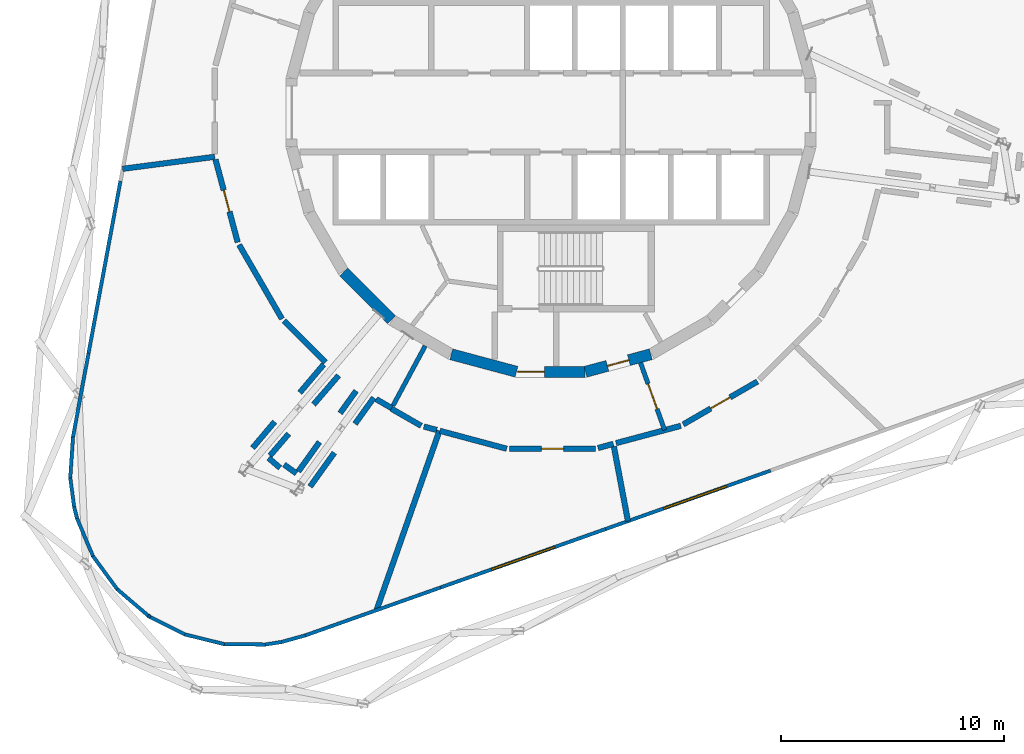
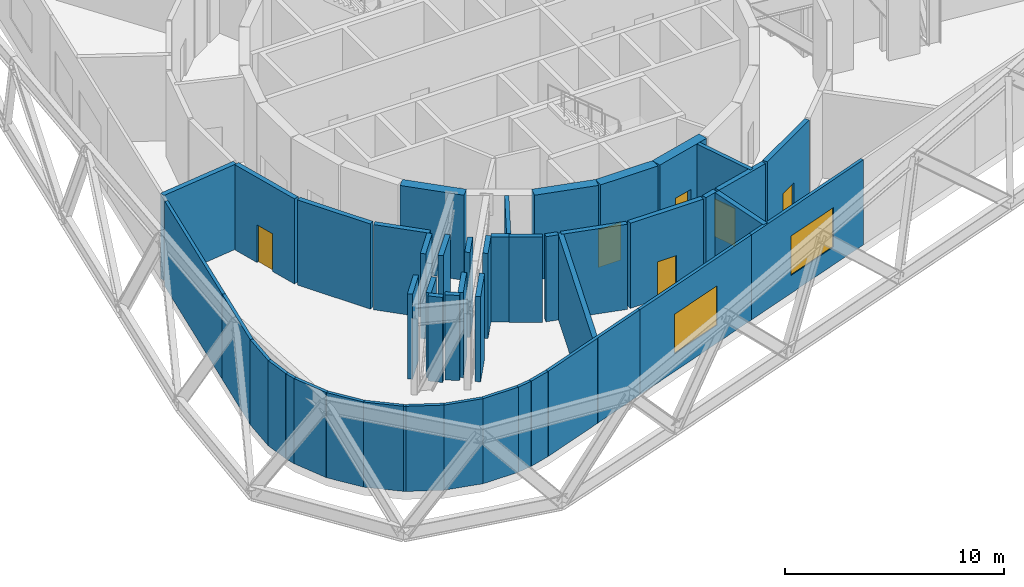
# One storey, part 5 of 12: 47 walls, 6 doors, 2 windows, 8 openings.
"""IFC4 building model written with IfcOpenShell, lengths in metres."""

import ifcopenshell
import ifcopenshell.guid

model = None  # the IFC model being written
_history = None  # IfcOwnerHistory: only IFC2X3 demands one
_inside = {}  # id of a spatial element -> (the spatial element, [elements in it])
_under = {}  # id of a project, library or spatial element -> (it, [spatial elements below it])
_declared = {}  # id of a project -> (the project, [libraries it declares])
_typed = {}  # id of a type object -> (the type object, [elements of that type])
_made_of = {}  # id of a material, layer set ... -> (it, [elements and type objects made of it])


def new_model(schema):
    """Start an empty IFC model of exactly this schema.

    Asked for "IFC4X3", IfcOpenShell would pick the latest addendum, in which some entities
    have other attributes; the version numbers below select the first issue.
    IFC2X3 requires an IfcOwnerHistory on every rooted entity: one is made here for all.
    """
    global model, _history
    if schema == "IFC4X3":
        model = ifcopenshell.file(schema_version=(4, 3, 0, 0))
    else:
        model = ifcopenshell.file(schema=schema)
    _inside.clear()
    _under.clear()
    _declared.clear()
    _typed.clear()
    _made_of.clear()
    _history = None
    if model.schema == "IFC2X3":
        org = make("IfcOrganization", Name="unknown")
        user = make(
            "IfcPersonAndOrganization",
            ThePerson=make("IfcPerson", FamilyName="unknown"),
            TheOrganization=org,
        )
        app = make(
            "IfcApplication",
            ApplicationDeveloper=org,
            Version="unknown",
            ApplicationFullName="unknown",
            ApplicationIdentifier="unknown",
        )
        _history = make(
            "IfcOwnerHistory",
            OwningUser=user,
            OwningApplication=app,
            ChangeAction="ADDED",
            CreationDate=0,
        )
    return model


def make(cls, **values):
    """One entity of the class cls with the attributes given. An attribute that is None is left unset."""
    return model.create_entity(
        cls, **{name: value for name, value in values.items() if value is not None}
    )


def rooted(cls, **values):
    """An entity with a GlobalId (a new one), such as an element, a storey or a relation."""
    return make(cls, GlobalId=ifcopenshell.guid.new(), OwnerHistory=_history, **values)


def si_unit(unit_type, name, prefix=None):
    """IfcSIUnit, for example si_unit("LENGTHUNIT", "METRE", prefix="MILLI")."""
    return make("IfcSIUnit", UnitType=unit_type, Prefix=prefix, Name=name)


def assignment(units):
    """IfcUnitAssignment: the units of a project."""
    return None if units is None else make("IfcUnitAssignment", Units=units)


def point(xyz):
    """IfcCartesianPoint."""
    return None if xyz is None else make("IfcCartesianPoint", Coordinates=xyz)


def direction(xyz):
    """IfcDirection."""
    return None if xyz is None else make("IfcDirection", DirectionRatios=xyz)


def frame(location, z_axis=None, x_axis=None):
    """IfcAxis2Placement3D, a coordinate frame: its origin and axes. An axis left out is left unset."""
    return make(
        "IfcAxis2Placement3D",
        Location=point(location),
        Axis=direction(z_axis),
        RefDirection=direction(x_axis),
    )


def frame_2d(location, x_axis=None):
    """IfcAxis2Placement2D, a coordinate frame in the plane: its origin and x axis."""
    return make(
        "IfcAxis2Placement2D", Location=point(location), RefDirection=direction(x_axis)
    )


def origin():
    """The frame at (0, 0, 0) with its axes left unset."""
    return frame((0.0, 0.0, 0.0))


def place(relative_to, where):
    """IfcLocalPlacement: puts the frame where relative to a parent placement (None: the world)."""
    return make(
        "IfcLocalPlacement", PlacementRelTo=relative_to, RelativePlacement=where
    )


def context(
    kind, dimensions, precision=None, world=None, true_north=None, identifier=None
):
    """IfcGeometricRepresentationContext, for example the 3D "Model" context."""
    return make(
        "IfcGeometricRepresentationContext",
        ContextIdentifier=identifier,
        ContextType=kind,
        CoordinateSpaceDimension=dimensions,
        Precision=precision,
        WorldCoordinateSystem=world,
        TrueNorth=true_north,
    )


def subcontext(parent, identifier, kind, view, scale=None):
    """IfcGeometricRepresentationSubContext, for example "Body" below "Model"."""
    return make(
        "IfcGeometricRepresentationSubContext",
        ContextIdentifier=identifier,
        ContextType=kind,
        ParentContext=parent,
        TargetScale=scale,
        TargetView=view,
    )


def project(units=None, contexts=None):
    """IfcProject with its units and contexts."""
    return rooted(
        "IfcProject",
        Name="project",
        RepresentationContexts=contexts,
        UnitsInContext=assignment(units),
    )


def spatial(cls, under=None, at=None, **own):
    """A site, building, storey or space (cls), placed at a placement, below another one or the project."""
    s = rooted(cls, ObjectPlacement=at, **own)
    if under is not None:
        _under.setdefault(under.id(), (under, []))[1].append(s)
    return s


def profile(cls, at=None, kind="AREA", **sizes):
    """A parametric profile (cls). Its sizes go by their IFC names, for example OverallWidth=200.0."""
    return make(cls, ProfileType=kind, Position=at, **sizes)


def rectangle(**sizes):
    """IfcRectangleProfileDef."""
    return profile("IfcRectangleProfileDef", **sizes)


def extrude(swept, where, along, depth):
    """IfcExtrudedAreaSolid: the profile swept, set in the frame where, extruded along a direction by depth."""
    return make(
        "IfcExtrudedAreaSolid",
        SweptArea=swept,
        Position=where,
        ExtrudedDirection=direction(along),
        Depth=depth,
    )


def shape(context_of_items, identifier, shape_type, items):
    """IfcShapeRepresentation: the items that make up one representation, for example the "Body"."""
    return make(
        "IfcShapeRepresentation",
        ContextOfItems=context_of_items,
        RepresentationIdentifier=identifier,
        RepresentationType=shape_type,
        Items=items,
    )


def material(Name=None, Category=None):
    """IfcMaterial."""
    return make("IfcMaterial", Name=Name, Category=Category)


def layer(
    of_material, thickness, ventilated=None, Name=None, Category=None, Priority=None
):
    """IfcMaterialLayer: one layer of a wall or slab, of a material (None: an air gap)."""
    return make(
        "IfcMaterialLayer",
        Material=of_material,
        LayerThickness=thickness,
        IsVentilated=ventilated,
        Name=Name,
        Category=Category,
        Priority=Priority,
    )


def layer_set(layers, Name=None):
    """IfcMaterialLayerSet."""
    return make("IfcMaterialLayerSet", MaterialLayers=layers, LayerSetName=Name)


def made_of(thing, what):
    """Note that an element or type object is made of a material, layer set ...; save() writes the relation."""
    if what is not None:
        _made_of.setdefault(what.id(), (what, []))[1].append(thing)
    return thing


def type_object(cls, material=None, **own):
    """A type object (cls), such as IfcWallType, which elements share."""
    return made_of(rooted(cls, **own), material)


def element(
    cls,
    number,
    at=None,
    inside=None,
    cuts=None,
    type_object=None,
    material=None,
    context=None,
    identifier="Body",
    shape_type=None,
    held_by="IfcProductDefinitionShape",
    body=None,
    shapes=None,
    **own,
):
    """One element of the class cls, such as IfcWall. Its Tag is "e" and its number.

    at: its placement. inside: the storey or other place that contains it. cuts: it is an
    opening in that element (IfcRelVoidsElement). A single representation is given by context,
    identifier, shape_type and body (its items); several are given by shapes. held_by: the class
    of the entity that holds the representations. save() writes the other relations.
    """
    e = rooted(cls, Tag="e%d" % number, ObjectPlacement=at, **own)
    if body is not None:
        shapes = [shape(context, identifier, shape_type, body)]
    if shapes is not None:
        e.Representation = make(held_by, Representations=shapes)
    if inside is not None:
        _inside.setdefault(inside.id(), (inside, []))[1].append(e)
    if cuts is not None:
        rooted(
            "IfcRelVoidsElement", RelatingBuildingElement=cuts, RelatedOpeningElement=e
        )
    if type_object is not None:
        _typed.setdefault(type_object.id(), (type_object, []))[1].append(e)
    return made_of(e, material)


def fill(opening, filler):
    """IfcRelFillsElement: the door or window that sits in an opening."""
    return rooted(
        "IfcRelFillsElement",
        RelatingOpeningElement=opening,
        RelatedBuildingElement=filler,
    )


def aggregate(whole, parts):
    """IfcRelAggregates: a whole, such as a stair, and the parts it consists of."""
    return rooted("IfcRelAggregates", RelatingObject=whole, RelatedObjects=parts)


def save(model, path):
    """Write the relations noted so far, then the file.

    IfcRelAggregates (storeys below a building ...), IfcRelContainedInSpatialStructure (elements
    in a storey), IfcRelDefinesByType, IfcRelAssociatesMaterial and IfcRelDeclares: one each for
    every whole, place, type object, material and project.
    """
    for whole, parts in _under.values():
        aggregate(whole, parts)
    for where, things in _inside.values():
        rooted(
            "IfcRelContainedInSpatialStructure",
            RelatedElements=things,
            RelatingStructure=where,
        )
    for kind, things in _typed.values():
        rooted("IfcRelDefinesByType", RelatedObjects=things, RelatingType=kind)
    for what, things in _made_of.values():
        rooted("IfcRelAssociatesMaterial", RelatedObjects=things, RelatingMaterial=what)
    for by, libraries in _declared.values():
        rooted("IfcRelDeclares", RelatingContext=by, RelatedDefinitions=libraries)
    model.write(path)


model = new_model("IFC4")

# Units and contexts
model_context = context("Model", 3, precision=1e-05, world=origin(), true_north=direction((0.0, 1.0)))
body_context = subcontext(model_context, "Body", "Model", "MODEL_VIEW")
ifc_project = project(units=[si_unit("LENGTHUNIT", "METRE"), si_unit("AREAUNIT", "SQUARE_METRE"), si_unit("VOLUMEUNIT", "CUBIC_METRE"), si_unit("PLANEANGLEUNIT", "RADIAN"), si_unit("MASSUNIT", "GRAM", prefix="KILO")], contexts=[model_context])

# Site, building, storey
site_placement = place(None, origin())
site = spatial("IfcSite", under=ifc_project, at=site_placement, CompositionType="ELEMENT")
building_placement = place(site_placement, origin())
building = spatial("IfcBuilding", under=site, at=building_placement, Name="Spindle Arch Residences", CompositionType="ELEMENT")
storey_placement = place(building_placement, frame((0.0, 0.0, 183.199951171875)))
storey = spatial("IfcBuildingStorey", under=building, at=storey_placement, Name="L46", CompositionType="ELEMENT", Elevation=183.199951171875)

# Wall, opening, door
ifc_material_1 = material(Name="Concrete C50/60", Category="concrete")
ifc_layer_1 = layer(ifc_material_1, 0.5)
ifc_layer_set_1 = layer_set([ifc_layer_1], Name="Core outline wall 500")
wall_type_1 = type_object("IfcWallType", Name="Core outline wall 500", PredefinedType="SHEAR", material=ifc_layer_set_1)
wall_1_placement = place(storey_placement, frame((1.5498046875, -11.642822265625, 0.0), z_axis=(0.0, 0.0, 1.0), x_axis=(0.965948410781, 0.258734743916, 0.0)))
wall_1 = element("IfcWall", 1, at=wall_1_placement, inside=storey, type_object=wall_type_1, Name="Core outline wall 1", PredefinedType="SHEAR", context=body_context, shape_type="SweptSolid", body=[
    extrude(rectangle(XDim=3.03271484375, YDim=0.5, at=frame_2d((1.516357421875, 0.0))), origin(), (0.0, 0.0, 1.0), 4.75),
])
opening_1_placement = place(wall_1_placement, frame((1.016357421875, 0.0, 0.0)))
opening_1 = element("IfcOpeningElement", 2, at=opening_1_placement, cuts=wall_1, Name="Opening L46-PD09", PredefinedType="OPENING", context=body_context, shape_type="SweptSolid", body=[
    extrude(rectangle(XDim=1.0, YDim=2.39990234375, at=frame_2d((0.5, 1.199951171875))), frame((0.0, 0.260009765625, 0.0), z_axis=(0.0, -1.0, 0.0), x_axis=(1.0, 0.0, 0.0)), (0.0, 0.0, 1.0), 0.52001953125),
])
ifc_material_2 = material(Name="Steel, fire-resisting door", Category="steel")
door_type_1 = type_object("IfcDoorType", Name="Plant room door 1000x2400", OperationType="SINGLE_SWING_LEFT", PredefinedType="DOOR", material=ifc_material_2)
door_1_placement = place(opening_1_placement, origin())
door_1 = element("IfcDoor", 3, at=door_1_placement, inside=storey, type_object=door_type_1, Name="Plant room door L46-PD09", OperationType="SINGLE_SWING_LEFT", OverallHeight=2.39990234375, OverallWidth=1.0, PredefinedType="DOOR", context=body_context, shape_type="SweptSolid", body=[
    extrude(rectangle(XDim=1.0, YDim=2.39990234375, at=frame_2d((0.5, 1.199951171875))), frame((0.0, 0.02490234375, 0.0), z_axis=(0.0, -1.0, 0.0), x_axis=(1.0, 0.0, 0.0)), (0.0, 0.0, 1.0), 0.050048828125),
])
fill(opening_1, door_1)

# Walls
wall_2_placement = place(storey_placement, frame((-9.30810546875, -7.163818359375, 0.0), z_axis=(0.0, 0.0, 1.0), x_axis=(0.707106781187, -0.707106781187, 0.0)))
element("IfcWall", 4, at=wall_2_placement, inside=storey, type_object=wall_type_1, Name="Core outline wall 21", PredefinedType="SHEAR", context=body_context, shape_type="SweptSolid", body=[
    extrude(rectangle(XDim=3.032470703125, YDim=0.5, at=frame_2d((1.51611328125, 0.0))), origin(), (0.0, 0.0, 1.0), 4.75),
])
wall_3_placement = place(storey_placement, frame((-4.479248046875, -10.858154296875, 0.0), z_axis=(0.0, 0.0, 1.0), x_axis=(0.965948410781, -0.258734743916, 0.0)))
element("IfcWall", 5, at=wall_3_placement, inside=storey, type_object=wall_type_1, Name="Core outline wall 23", PredefinedType="SHEAR", context=body_context, shape_type="SweptSolid", body=[
    extrude(rectangle(XDim=3.03271484375, YDim=0.5, at=frame_2d((1.516357421875, 0.0))), origin(), (0.0, 0.0, 1.0), 4.75),
])

# Wall, opening, door
wall_4_placement = place(storey_placement, frame((-1.516357421875, -11.647216796875, 0.0), z_axis=(0.0, 0.0, 1.0), x_axis=(1.0, 0.0, 0.0)))
wall_4 = element("IfcWall", 6, at=wall_4_placement, inside=storey, type_object=wall_type_1, Name="Core outline wall 24", PredefinedType="SHEAR", context=body_context, shape_type="SweptSolid", body=[
    extrude(rectangle(XDim=3.03271484375, YDim=0.5, at=frame_2d((1.516357421875, 0.0))), origin(), (0.0, 0.0, 1.0), 4.75),
])
opening_2_placement = place(wall_4_placement, frame((0.016357421875, 0.0, 0.0)))
opening_2 = element("IfcOpeningElement", 7, at=opening_2_placement, cuts=wall_4, Name="Opening L46-AD03", PredefinedType="OPENING", context=body_context, shape_type="SweptSolid", body=[
    extrude(rectangle(XDim=1.199951171875, YDim=2.10009765625, at=frame_2d((0.60009765625, 1.050048828125))), frame((0.0, 0.260009765625, 0.0), z_axis=(0.0, -1.0, 0.0), x_axis=(1.0, 0.0, 0.0)), (0.0, 0.0, 1.0), 0.52001953125),
])
ifc_material_3 = material(Name="Steel, fire-resisting door", Category="steel")
door_type_2 = type_object("IfcDoorType", Name="Stair airlock door 1200x2100", OperationType="SINGLE_SWING_LEFT", PredefinedType="DOOR", material=ifc_material_3)
door_2_placement = place(opening_2_placement, origin())
door_2 = element("IfcDoor", 8, at=door_2_placement, inside=storey, type_object=door_type_2, Name="Stair airlock door L46-AD03", OperationType="SINGLE_SWING_RIGHT", OverallHeight=2.10009765625, OverallWidth=1.199951171875, PredefinedType="DOOR", context=body_context, shape_type="SweptSolid", body=[
    extrude(rectangle(XDim=1.199951171875, YDim=2.10009765625, at=frame_2d((0.60009765625, 1.050048828125))), frame((0.0, 0.02490234375, 0.0), z_axis=(0.0, -1.0, 0.0), x_axis=(1.0, 0.0, 0.0)), (0.0, 0.0, 1.0), 0.050048828125),
])
fill(opening_2, door_2)

# Walls
ifc_material_4 = material(Name="Non-combustible mineral wool insulated aluminium faced external wall (K0)", Category="aluminium")
ifc_layer_2 = layer(ifc_material_4, 0.159912109375)
ifc_layer_set_2 = layer_set([ifc_layer_2], Name="Insulated external wall panel 160")
wall_type_2 = type_object("IfcWallType", Name="Insulated external wall panel 160", PredefinedType="STANDARD", material=ifc_layer_set_2)
wall_5_placement = place(storey_placement, frame((-19.337646484375, -3.07763671875, 0.0), z_axis=(0.0, 0.0, 1.0), x_axis=(-0.182232738599, -0.98325542408, 0.0)))
element("IfcWall", 9, at=wall_5_placement, inside=storey, type_object=wall_type_2, Name="Plant wall L46 bay 16", PredefinedType="STANDARD", context=body_context, shape_type="SweptSolid", body=[
    extrude(rectangle(XDim=7.860107421875, YDim=0.159912109375, at=frame_2d((3.93017578125, 0.0))), origin(), (0.0, 0.0, 1.0), 4.75),
])
wall_6_placement = place(storey_placement, frame((-20.77001953125, -10.80615234375, 0.0), z_axis=(0.0, 0.0, 1.0), x_axis=(-0.182228290982, -0.983256248374, 0.0)))
element("IfcWall", 10, at=wall_6_placement, inside=storey, type_object=wall_type_2, Name="Plant wall L46 bay 17.1", PredefinedType="STANDARD", context=body_context, shape_type="SweptSolid", body=[
    extrude(rectangle(XDim=3.835693359375, YDim=0.159912109375, at=frame_2d((1.91796875, 0.0))), origin(), (0.0, 0.0, 1.0), 4.75),
])
wall_7_placement = place(storey_placement, frame((-21.468505859375, -14.572998046875, 0.0), z_axis=(0.0, 0.0, 1.0), x_axis=(-0.066817587847, -0.997765207829, 0.0)))
element("IfcWall", 11, at=wall_7_placement, inside=storey, type_object=wall_type_2, Name="Plant wall L46 bay 17.2", PredefinedType="STANDARD", context=body_context, shape_type="SweptSolid", body=[
    extrude(rectangle(XDim=1.84521484375, YDim=0.159912109375, at=frame_2d((0.922607421875, 0.0))), origin(), (0.0, 0.0, 1.0), 4.75),
])
wall_8_placement = place(storey_placement, frame((-21.592041015625, -16.40625, 0.0), z_axis=(0.0, 0.0, 1.0), x_axis=(0.131993714957, -0.991250553196, 0.0)))
element("IfcWall", 12, at=wall_8_placement, inside=storey, type_object=wall_type_2, Name="Plant wall L46 bay 17.3", PredefinedType="STANDARD", context=body_context, shape_type="SweptSolid", body=[
    extrude(rectangle(XDim=1.31689453125, YDim=0.159912109375, at=frame_2d((0.658447265625, 0.0))), origin(), (0.0, 0.0, 1.0), 4.75),
])
wall_9_placement = place(storey_placement, frame((-21.418212890625, -17.711669921875, 0.0), z_axis=(0.0, 0.0, 1.0), x_axis=(0.246208640936, -0.969216851447, 0.0)))
element("IfcWall", 13, at=wall_9_placement, inside=storey, type_object=wall_type_2, Name="Plant wall L46 bay 18.1", PredefinedType="STANDARD", context=body_context, shape_type="SweptSolid", body=[
    extrude(rectangle(XDim=0.531494140625, YDim=0.159912109375, at=frame_2d((0.265625, 0.0))), origin(), (0.0, 0.0, 1.0), 4.75),
])
wall_10_placement = place(storey_placement, frame((-21.289306640625, -18.220947265625, 0.0), z_axis=(0.0, 0.0, 1.0), x_axis=(0.38815156291, -0.921595553489, 0.0)))
element("IfcWall", 14, at=wall_10_placement, inside=storey, type_object=wall_type_2, Name="Plant wall L46 bay 18.2", PredefinedType="STANDARD", context=body_context, shape_type="SweptSolid", body=[
    extrude(rectangle(XDim=1.8466796875, YDim=0.159912109375, at=frame_2d((0.92333984375, 0.0))), origin(), (0.0, 0.0, 1.0), 4.75),
])
wall_11_placement = place(storey_placement, frame((-20.5771484375, -19.914794921875, 0.0), z_axis=(0.0, 0.0, 1.0), x_axis=(0.590149047007, -0.807294309603, 0.0)))
element("IfcWall", 15, at=wall_11_placement, inside=storey, type_object=wall_type_2, Name="Plant wall L46 bay 18.3", PredefinedType="STANDARD", context=body_context, shape_type="SweptSolid", body=[
    extrude(rectangle(XDim=1.848388671875, YDim=0.159912109375, at=frame_2d((0.92431640625, 0.0))), origin(), (0.0, 0.0, 1.0), 4.75),
])
wall_12_placement = place(storey_placement, frame((-19.492919921875, -21.400146484375, 0.0), z_axis=(0.0, 0.0, 1.0), x_axis=(0.760403610682, -0.649450805575, 0.0)))
element("IfcWall", 16, at=wall_12_placement, inside=storey, type_object=wall_type_2, Name="Plant wall L46 bay 18.4", PredefinedType="STANDARD", context=body_context, shape_type="SweptSolid", body=[
    extrude(rectangle(XDim=1.84619140625, YDim=0.159912109375, at=frame_2d((0.923095703125, 0.0))), origin(), (0.0, 0.0, 1.0), 4.75),
])
wall_13_placement = place(storey_placement, frame((-18.093017578125, -22.59619140625, 0.0), z_axis=(0.0, 0.0, 1.0), x_axis=(0.834816805253, -0.55052783914, 0.0)))
element("IfcWall", 17, at=wall_13_placement, inside=storey, type_object=wall_type_2, Name="Plant wall L46 bay 18.5", PredefinedType="STANDARD", context=body_context, shape_type="SweptSolid", body=[
    extrude(rectangle(XDim=0.108154296875, YDim=0.159912109375, at=frame_2d((0.05419921875, 0.0))), origin(), (0.0, 0.0, 1.0), 4.75),
])
wall_14_placement = place(storey_placement, frame((-18.002685546875, -22.65576171875, 0.0), z_axis=(0.0, 0.0, 1.0), x_axis=(0.892707393471, -0.450636782389, 0.0)))
element("IfcWall", 18, at=wall_14_placement, inside=storey, type_object=wall_type_2, Name="Plant wall L46 bay 19.1", PredefinedType="STANDARD", context=body_context, shape_type="SweptSolid", body=[
    extrude(rectangle(XDim=1.738525390625, YDim=0.159912109375, at=frame_2d((0.869140625, 0.0))), origin(), (0.0, 0.0, 1.0), 4.75),
])
wall_15_placement = place(storey_placement, frame((-16.459228515625, -23.43603515625, 0.0), z_axis=(0.0, 0.0, 1.0), x_axis=(0.970991288819, -0.2391148616, 0.0)))
element("IfcWall", 19, at=wall_15_placement, inside=storey, type_object=wall_type_2, Name="Plant wall L46 bay 19.2", PredefinedType="STANDARD", context=body_context, shape_type="SweptSolid", body=[
    extrude(rectangle(XDim=1.84814453125, YDim=0.159912109375, at=frame_2d((0.924072265625, 0.0))), origin(), (0.0, 0.0, 1.0), 4.75),
])
wall_16_placement = place(storey_placement, frame((-14.673828125, -23.876708984375, 0.0), z_axis=(0.0, 0.0, 1.0), x_axis=(0.999961934632, -0.0087252099, 0.0)))
element("IfcWall", 20, at=wall_16_placement, inside=storey, type_object=wall_type_2, Name="Plant wall L46 bay 19.3", PredefinedType="STANDARD", context=body_context, shape_type="SweptSolid", body=[
    extrude(rectangle(XDim=1.8466796875, YDim=0.159912109375, at=frame_2d((0.92333984375, 0.0))), origin(), (0.0, 0.0, 1.0), 4.75),
])
wall_17_placement = place(storey_placement, frame((-12.833740234375, -23.893310546875, 0.0), z_axis=(0.0, 0.0, 1.0), x_axis=(0.988112033707, 0.153735515883, 0.0)))
element("IfcWall", 21, at=wall_17_placement, inside=storey, type_object=wall_type_2, Name="Plant wall L46 bay 19.4", PredefinedType="STANDARD", context=body_context, shape_type="SweptSolid", body=[
    extrude(rectangle(XDim=0.7431640625, YDim=0.159912109375, at=frame_2d((0.37158203125, 0.0))), origin(), (0.0, 0.0, 1.0), 4.75),
])
wall_18_placement = place(storey_placement, frame((-12.099365234375, -23.779052734375, 0.0), z_axis=(0.0, 0.0, 1.0), x_axis=(0.963559105887, 0.267495512977, 0.0)))
element("IfcWall", 22, at=wall_18_placement, inside=storey, type_object=wall_type_2, Name="Plant wall L46 bay 20.1", PredefinedType="STANDARD", context=body_context, shape_type="SweptSolid", body=[
    extrude(rectangle(XDim=1.103515625, YDim=0.159912109375, at=frame_2d((0.5517578125, 0.0))), origin(), (0.0, 0.0, 1.0), 4.75),
])
wall_19_placement = place(storey_placement, frame((-11.038818359375, -23.48486328125, 0.0), z_axis=(0.0, 0.0, 1.0), x_axis=(0.94263788719, 0.333817036165, 0.0)))
element("IfcWall", 23, at=wall_19_placement, inside=storey, type_object=wall_type_2, Name="Plant wall L46 bay 20.2", PredefinedType="STANDARD", context=body_context, shape_type="SweptSolid", body=[
    extrude(rectangle(XDim=6.455078125, YDim=0.159912109375, at=frame_2d((3.2275390625, 0.0))), origin(), (0.0, 0.0, 1.0), 4.75),
])

# Wall, opening, window
wall_20_placement = place(storey_placement, frame((-4.9541015625, -21.330078125, 0.0), z_axis=(0.0, 0.0, 1.0), x_axis=(0.942639442898, 0.333812643101, 0.0)))
wall_20 = element("IfcWall", 24, at=wall_20_placement, inside=storey, type_object=wall_type_2, Name="Plant wall L46 bay 21", PredefinedType="STANDARD", context=body_context, shape_type="SweptSolid", body=[
    extrude(rectangle(XDim=7.860107421875, YDim=0.159912109375, at=frame_2d((3.93017578125, 0.0))), origin(), (0.0, 0.0, 1.0), 4.75),
])
opening_3_placement = place(wall_20_placement, frame((2.429931640625, 0.0, 1.0)))
opening_3 = element("IfcOpeningElement", 25, at=opening_3_placement, cuts=wall_20, Name="Opening LW1", PredefinedType="OPENING", context=body_context, shape_type="SweptSolid", body=[
    extrude(rectangle(XDim=3.0, YDim=2.199951171875, at=frame_2d((1.5, 1.10009765625))), frame((0.0, 0.08984375, 0.0), z_axis=(0.0, -1.0, 0.0), x_axis=(1.0, 0.0, 0.0)), (0.0, 0.0, 1.0), 0.179931640625),
])
ifc_material_5 = material(Name="Bronze anodised aluminium fixed louvre", Category="aluminium")
window_type = type_object("IfcWindowType", Name="Plant louvre opening 3000x2200", PartitioningType="SINGLE_PANEL", PredefinedType="WINDOW", material=ifc_material_5)
window_1_placement = place(opening_3_placement, origin())
window_1 = element("IfcWindow", 26, at=window_1_placement, inside=storey, type_object=window_type, Name="Louvre opening L46 bay 21.1", OverallHeight=2.199951171875, OverallWidth=3.0, PartitioningType="SINGLE_PANEL", PredefinedType="WINDOW", context=body_context, shape_type="SweptSolid", body=[
    extrude(rectangle(XDim=3.0, YDim=2.199951171875, at=frame_2d((1.5, 1.10009765625))), frame((0.0, 0.030029296875, 0.0), z_axis=(0.0, -1.0, 0.0), x_axis=(1.0, 0.0, 0.0)), (0.0, 0.0, 1.0), 0.06005859375),
])
fill(opening_3, window_1)

wall_21_placement = place(storey_placement, frame((2.455078125, -18.706298828125, 0.0), z_axis=(0.0, 0.0, 1.0), x_axis=(0.942639442898, 0.333812643101, 0.0)))
wall_21 = element("IfcWall", 27, at=wall_21_placement, inside=storey, type_object=wall_type_2, Name="Plant wall L46 bay 22", PredefinedType="STANDARD", context=body_context, shape_type="SweptSolid", body=[
    extrude(rectangle(XDim=7.860107421875, YDim=0.159912109375, at=frame_2d((3.93017578125, 0.0))), origin(), (0.0, 0.0, 1.0), 4.75),
])
opening_4_placement = place(wall_21_placement, frame((2.754150390625, 0.0, 1.0)))
opening_4 = element("IfcOpeningElement", 28, at=opening_4_placement, cuts=wall_21, Name="Opening LW1", PredefinedType="OPENING", context=body_context, shape_type="SweptSolid", body=[
    extrude(rectangle(XDim=3.0, YDim=2.199951171875, at=frame_2d((1.5, 1.10009765625))), frame((0.0, 0.08984375, 0.0), z_axis=(0.0, -1.0, 0.0), x_axis=(1.0, 0.0, 0.0)), (0.0, 0.0, 1.0), 0.179931640625),
])
window_2_placement = place(opening_4_placement, origin())
window_2 = element("IfcWindow", 29, at=window_2_placement, inside=storey, type_object=window_type, Name="Louvre opening L46 bay 22.1", OverallHeight=2.199951171875, OverallWidth=3.0, PartitioningType="SINGLE_PANEL", PredefinedType="WINDOW", context=body_context, shape_type="SweptSolid", body=[
    extrude(rectangle(XDim=3.0, YDim=2.199951171875, at=frame_2d((1.5, 1.10009765625))), frame((0.0, 0.030029296875, 0.0), z_axis=(0.0, -1.0, 0.0), x_axis=(1.0, 0.0, 0.0)), (0.0, 0.0, 1.0), 0.06005859375),
])
fill(opening_4, window_2)

# Wall
ifc_material_6 = material(Name="Concrete C25/30 wall", Category="concrete")
ifc_layer_3 = layer(ifc_material_6, 0.25)
ifc_layer_set_3 = layer_set([ifc_layer_3], Name="Partition EI 120 250 plant")
wall_type_3 = type_object("IfcWallType", Name="Partition EI 120 250 plant", PredefinedType="PARTITIONING", material=ifc_layer_set_3)
wall_22_placement = place(storey_placement, frame((-15.10009765625, -1.989990234375, 0.0), z_axis=(0.0, 0.0, 1.0), x_axis=(-0.991616704788, -0.129214205046, 0.0)))
element("IfcWall", 30, at=wall_22_placement, inside=storey, type_object=wall_type_3, Name="L46-W001", PredefinedType="PARTITIONING", context=body_context, shape_type="SweptSolid", body=[
    extrude(rectangle(XDim=4.175537109375, YDim=0.25, at=frame_2d((2.087890625, 0.0))), origin(), (0.0, 0.0, 1.0), 4.75),
])

# Wall, opening, door
wall_23_placement = place(storey_placement, frame((-15.067626953125, -2.11083984375, 0.0), z_axis=(0.0, 0.0, 1.0), x_axis=(0.259059323171, -0.965861411942, 0.0)))
wall_23 = element("IfcWall", 31, at=wall_23_placement, inside=storey, type_object=wall_type_3, Name="L46-W002", PredefinedType="PARTITIONING", context=body_context, shape_type="SweptSolid", body=[
    extrude(rectangle(XDim=3.8505859375, YDim=0.25, at=frame_2d((1.92529296875, 0.0))), origin(), (0.0, 0.0, 1.0), 4.75),
])
opening_5_placement = place(wall_23_placement, frame((1.42529296875, 0.0, 0.0)))
opening_5 = element("IfcOpeningElement", 32, at=opening_5_placement, cuts=wall_23, Name="Opening L46-D03", PredefinedType="OPENING", context=body_context, shape_type="SweptSolid", body=[
    extrude(rectangle(XDim=1.0, YDim=2.10009765625, at=frame_2d((0.5, 1.050048828125))), frame((0.0, 0.135009765625, 0.0), z_axis=(0.0, -1.0, 0.0), x_axis=(1.0, 0.0, 0.0)), (0.0, 0.0, 1.0), 0.27001953125),
])
ifc_material_7 = material(Name="Steel door leaf, painted", Category="steel")
door_type_3 = type_object("IfcDoorType", Name="Door 1000x2100 EI 60", OperationType="SINGLE_SWING_LEFT", PredefinedType="DOOR", material=ifc_material_7)
door_3_placement = place(opening_5_placement, origin())
door_3 = element("IfcDoor", 33, at=door_3_placement, inside=storey, type_object=door_type_3, Name="L46-D03", OperationType="SINGLE_SWING_LEFT", OverallHeight=2.10009765625, OverallWidth=1.0, PredefinedType="DOOR", context=body_context, shape_type="SweptSolid", body=[
    extrude(rectangle(XDim=1.0, YDim=2.10009765625, at=frame_2d((0.5, 1.050048828125))), frame((0.0, 0.02490234375, 0.0), z_axis=(0.0, -1.0, 0.0), x_axis=(1.0, 0.0, 0.0)), (0.0, 0.0, 1.0), 0.050048828125),
])
fill(opening_5, door_3)

# Walls
wall_24_placement = place(storey_placement, frame((-14.00732421875, -5.938232421875, 0.0), z_axis=(0.0, 0.0, 1.0), x_axis=(0.500708693508, -0.865615852585, 0.0)))
element("IfcWall", 34, at=wall_24_placement, inside=storey, type_object=wall_type_3, Name="L46-W004", PredefinedType="PARTITIONING", context=body_context, shape_type="SweptSolid", body=[
    extrude(rectangle(XDim=3.84912109375, YDim=0.25, at=frame_2d((1.924560546875, 0.0))), origin(), (0.0, 0.0, 1.0), 4.75),
])
wall_25_placement = place(storey_placement, frame((-12.618408203125, -15.406982421875, 0.0), z_axis=(0.0, 0.0, 1.0), x_axis=(0.651197316614, 0.758908462751, 0.0)))
element("IfcWall", 35, at=wall_25_placement, inside=storey, type_object=wall_type_3, Name="L46-W008", PredefinedType="PARTITIONING", context=body_context, shape_type="SweptSolid", body=[
    extrude(rectangle(XDim=1.287353515625, YDim=0.25, at=frame_2d((0.6435546875, 0.0))), origin(), (0.0, 0.0, 1.0), 4.75),
])
wall_26_placement = place(storey_placement, frame((-12.409912109375, -13.889892578125, 0.0), z_axis=(0.0, 0.0, 1.0), x_axis=(-0.645015932436, -0.764169121925, 0.0)))
element("IfcWall", 36, at=wall_26_placement, inside=storey, type_object=wall_type_3, Name="L46-W009", PredefinedType="PARTITIONING", context=body_context, shape_type="SweptSolid", body=[
    extrude(rectangle(XDim=1.53662109375, YDim=0.25, at=frame_2d((0.768310546875, 0.0))), origin(), (0.0, 0.0, 1.0), 4.75),
])
wall_27_placement = place(storey_placement, frame((-11.99169921875, -9.3583984375, 0.0), z_axis=(0.0, 0.0, 1.0), x_axis=(0.707153144284, -0.707060415049, 0.0)))
element("IfcWall", 37, at=wall_27_placement, inside=storey, type_object=wall_type_3, Name="L46-W010", PredefinedType="PARTITIONING", context=body_context, shape_type="SweptSolid", body=[
    extrude(rectangle(XDim=2.6328125, YDim=0.25, at=frame_2d((1.31640625, 0.0))), origin(), (0.0, 0.0, 1.0), 4.75),
])
wall_28_placement = place(storey_placement, frame((-10.820068359375, -16.800048828125, 0.0), z_axis=(0.0, 0.0, 1.0), x_axis=(0.582780482128, 0.812629626368, 0.0)))
element("IfcWall", 38, at=wall_28_placement, inside=storey, type_object=wall_type_3, Name="L46-W013", PredefinedType="PARTITIONING", context=body_context, shape_type="SweptSolid", body=[
    extrude(rectangle(XDim=1.87060546875, YDim=0.25, at=frame_2d((0.935302734375, 0.0))), origin(), (0.0, 0.0, 1.0), 4.75),
])
wall_29_placement = place(storey_placement, frame((-10.659912109375, -13.110107421875, 0.0), z_axis=(0.0, 0.0, 1.0), x_axis=(0.652652485568, 0.757657398223, 0.0)))
element("IfcWall", 39, at=wall_29_placement, inside=storey, type_object=wall_type_3, Name="L46-W014", PredefinedType="PARTITIONING", context=body_context, shape_type="SweptSolid", body=[
    extrude(rectangle(XDim=1.7158203125, YDim=0.25, at=frame_2d((0.85791015625, 0.0))), origin(), (0.0, 0.0, 1.0), 4.75),
])
wall_30_placement = place(storey_placement, frame((-10.39990234375, -14.800048828125, 0.0), z_axis=(0.0, 0.0, 1.0), x_axis=(-0.582747850977, -0.812653026932, 0.0)))
element("IfcWall", 40, at=wall_30_placement, inside=storey, type_object=wall_type_3, Name="L46-W015", PredefinedType="PARTITIONING", context=body_context, shape_type="SweptSolid", body=[
    extrude(rectangle(XDim=1.62060546875, YDim=0.25, at=frame_2d((0.810302734375, 0.0))), origin(), (0.0, 0.0, 1.0), 4.75),
])
wall_31_placement = place(storey_placement, frame((-10.210693359375, -11.3154296875, 0.0), z_axis=(0.0, 0.0, 1.0), x_axis=(-0.645677872328, -0.763609903803, 0.0)))
element("IfcWall", 41, at=wall_31_placement, inside=storey, type_object=wall_type_3, Name="L46-W016", PredefinedType="PARTITIONING", context=body_context, shape_type="SweptSolid", body=[
    extrude(rectangle(XDim=1.65625, YDim=0.25, at=frame_2d((0.828125, 0.0))), origin(), (0.0, 0.0, 1.0), 4.75),
])
wall_32_placement = place(storey_placement, frame((-8.800048828125, -13.97998046875, 0.0), z_axis=(0.0, 0.0, 1.0), x_axis=(0.583272745403, 0.812276371976, 0.0)))
element("IfcWall", 42, at=wall_32_placement, inside=storey, type_object=wall_type_3, Name="L46-W019", PredefinedType="PARTITIONING", context=body_context, shape_type="SweptSolid", body=[
    extrude(rectangle(XDim=1.440185546875, YDim=0.25, at=frame_2d((0.72021484375, 0.0))), origin(), (0.0, 0.0, 1.0), 4.75),
])
wall_33_placement = place(storey_placement, frame((-8.7529296875, -12.50146484375, 0.0), z_axis=(0.0, 0.0, 1.0), x_axis=(-0.583284065891, -0.812268242933, 0.0)))
element("IfcWall", 43, at=wall_33_placement, inside=storey, type_object=wall_type_3, Name="L46-W020", PredefinedType="PARTITIONING", context=body_context, shape_type="SweptSolid", body=[
    extrude(rectangle(XDim=1.229248046875, YDim=0.25, at=frame_2d((0.61474609375, 0.0))), origin(), (0.0, 0.0, 1.0), 4.75),
])
wall_34_placement = place(storey_placement, frame((-7.851806640625, -12.87255859375, 0.0), z_axis=(0.0, 0.0, 1.0), x_axis=(0.865197326025, -0.501431537739, 0.0)))
element("IfcWall", 44, at=wall_34_placement, inside=storey, type_object=wall_type_3, Name="L46-W023", PredefinedType="PARTITIONING", context=body_context, shape_type="SweptSolid", body=[
    extrude(rectangle(XDim=0.803466796875, YDim=0.25, at=frame_2d((0.40185546875, 0.0))), origin(), (0.0, 0.0, 1.0), 4.75),
])
wall_35_placement = place(storey_placement, frame((-5.830078125, -14.070068359375, 0.0), z_axis=(0.0, 0.0, 1.0), x_axis=(-0.867015512993, 0.498281145769, 0.0)))
element("IfcWall", 45, at=wall_35_placement, inside=storey, type_object=wall_type_3, Name="L46-W034", PredefinedType="PARTITIONING", context=body_context, shape_type="SweptSolid", body=[
    extrude(rectangle(XDim=1.54541015625, YDim=0.25, at=frame_2d((0.772705078125, 0.0))), origin(), (0.0, 0.0, 1.0), 4.75),
])
wall_36_placement = place(storey_placement, frame((-5.130615234375, -14.257568359375, 0.0), z_axis=(0.0, 0.0, 1.0), x_axis=(-0.965827909732, 0.259184198561, 0.0)))
element("IfcWall", 46, at=wall_36_placement, inside=storey, type_object=wall_type_3, Name="L46-W038", PredefinedType="PARTITIONING", context=body_context, shape_type="SweptSolid", body=[
    extrude(rectangle(XDim=0.59912109375, YDim=0.25, at=frame_2d((0.299560546875, 0.0))), origin(), (0.0, 0.0, 1.0), 4.75),
])
wall_37_placement = place(storey_placement, frame((2.920654296875, -14.84765625, 0.0), z_axis=(0.0, 0.0, 1.0), x_axis=(0.966090816863, 0.258202504969, 0.0)))
element("IfcWall", 47, at=wall_37_placement, inside=storey, type_object=wall_type_3, Name="L46-W048", PredefinedType="PARTITIONING", context=body_context, shape_type="SweptSolid", body=[
    extrude(rectangle(XDim=3.011474609375, YDim=0.25, at=frame_2d((1.505859375, 0.0))), origin(), (0.0, 0.0, 1.0), 4.75),
])

# Wall, opening, door
wall_38_placement = place(storey_placement, frame((5.938232421875, -14.00732421875, 0.0), z_axis=(0.0, 0.0, 1.0), x_axis=(0.865615852585, 0.500708693508, 0.0)))
wall_38 = element("IfcWall", 48, at=wall_38_placement, inside=storey, type_object=wall_type_3, Name="L46-W051", PredefinedType="PARTITIONING", context=body_context, shape_type="SweptSolid", body=[
    extrude(rectangle(XDim=3.84912109375, YDim=0.25, at=frame_2d((1.924560546875, 0.0))), origin(), (0.0, 0.0, 1.0), 4.75),
])
opening_6_placement = place(wall_38_placement, frame((1.424560546875, 0.0, 0.0)))
opening_6 = element("IfcOpeningElement", 49, at=opening_6_placement, cuts=wall_38, Name="Opening L46-D02", PredefinedType="OPENING", context=body_context, shape_type="SweptSolid", body=[
    extrude(rectangle(XDim=1.0, YDim=2.10009765625, at=frame_2d((0.5, 1.050048828125))), frame((0.0, 0.135009765625, 0.0), z_axis=(0.0, -1.0, 0.0), x_axis=(1.0, 0.0, 0.0)), (0.0, 0.0, 1.0), 0.27001953125),
])
door_4_placement = place(opening_6_placement, origin())
door_4 = element("IfcDoor", 50, at=door_4_placement, inside=storey, type_object=door_type_3, Name="L46-D02", OperationType="SINGLE_SWING_LEFT", OverallHeight=2.10009765625, OverallWidth=1.0, PredefinedType="DOOR", context=body_context, shape_type="SweptSolid", body=[
    extrude(rectangle(XDim=1.0, YDim=2.10009765625, at=frame_2d((0.5, 1.050048828125))), frame((0.0, 0.02490234375, 0.0), z_axis=(0.0, -1.0, 0.0), x_axis=(1.0, 0.0, 0.0)), (0.0, 0.0, 1.0), 0.050048828125),
])
fill(opening_6, door_4)

# Walls
wall_39_placement = place(storey_placement, frame((-12.685302734375, -15.5146484375, 0.0), z_axis=(0.0, 0.0, 1.0), x_axis=(0.759028669971, -0.651057200377, 0.0)))
element("IfcWall", 51, at=wall_39_placement, inside=storey, type_object=wall_type_3, Name="L46-W078", PredefinedType="PARTITIONING", context=body_context, shape_type="SweptSolid", body=[
    extrude(rectangle(XDim=0.6806640625, YDim=0.25, at=frame_2d((0.34033203125, 0.0))), origin(), (0.0, 0.0, 1.0), 4.75),
])
wall_40_placement = place(storey_placement, frame((-11.986083984375, -15.810546875, 0.0), z_axis=(0.0, 0.0, 1.0), x_axis=(0.81266730277, -0.582727942533, 0.0)))
element("IfcWall", 52, at=wall_40_placement, inside=storey, type_object=wall_type_3, Name="L46-W079", PredefinedType="PARTITIONING", context=body_context, shape_type="SweptSolid", body=[
    extrude(rectangle(XDim=0.681640625, YDim=0.25, at=frame_2d((0.3408203125, 0.0))), origin(), (0.0, 0.0, 1.0), 4.75),
])
ifc_material_8 = material(Name="Gypsum board partition on steel studs", Category="steel")
ifc_layer_4 = layer(ifc_material_8, 0.199951171875)
ifc_layer_set_4 = layer_set([ifc_layer_4], Name="Partition EI 60 200 amenity")
wall_type_4 = type_object("IfcWallType", Name="Partition EI 60 200 amenity", PredefinedType="PARTITIONING", material=ifc_layer_set_4)
wall_41_placement = place(storey_placement, frame((-7.097412109375, -13.165283203125, 0.0), z_axis=(0.0, 0.0, 1.0), x_axis=(0.474500660471, 0.880255146655, 0.0)))
element("IfcWall", 53, at=wall_41_placement, inside=storey, type_object=wall_type_4, Name="L46-W027", PredefinedType="PARTITIONING", context=body_context, shape_type="SweptSolid", body=[
    extrude(rectangle(XDim=3.050537109375, YDim=0.199951171875, at=frame_2d((1.525390625, 0.0))), origin(), (0.0, 0.0, 1.0), 4.75),
])

# Wall, opening, door
wall_42_placement = place(storey_placement, frame((4.02001953125, -11.239990234375, 0.0), z_axis=(0.0, 0.0, 1.0), x_axis=(0.336751058688, -0.941593715183, 0.0)))
wall_42 = element("IfcWall", 54, at=wall_42_placement, inside=storey, type_object=wall_type_4, Name="L46-W049", PredefinedType="PARTITIONING", context=body_context, shape_type="SweptSolid", body=[
    extrude(rectangle(XDim=3.207275390625, YDim=0.199951171875, at=frame_2d((1.603515625, 0.0))), origin(), (0.0, 0.0, 1.0), 4.75),
])
opening_7_placement = place(wall_42_placement, frame((1.003662109375, 0.0, 0.0)))
opening_7 = element("IfcOpeningElement", 55, at=opening_7_placement, cuts=wall_42, Name="Opening L46-D11", PredefinedType="OPENING", context=body_context, shape_type="SweptSolid", body=[
    extrude(rectangle(XDim=1.199951171875, YDim=2.10009765625, at=frame_2d((0.60009765625, 1.050048828125))), frame((0.0, 0.10986328125, 0.0), z_axis=(0.0, -1.0, 0.0), x_axis=(1.0, 0.0, 0.0)), (0.0, 0.0, 1.0), 0.219970703125),
])
ifc_material_9 = material(Name="Steel door leaf, painted", Category="steel")
door_type_4 = type_object("IfcDoorType", Name="Door 1200x2100 EI 60", OperationType="SINGLE_SWING_LEFT", PredefinedType="DOOR", material=ifc_material_9)
door_5_placement = place(opening_7_placement, origin())
door_5 = element("IfcDoor", 56, at=door_5_placement, inside=storey, type_object=door_type_4, Name="L46-D11", OperationType="SINGLE_SWING_LEFT", OverallHeight=2.10009765625, OverallWidth=1.199951171875, PredefinedType="DOOR", context=body_context, shape_type="SweptSolid", body=[
    extrude(rectangle(XDim=1.199951171875, YDim=2.10009765625, at=frame_2d((0.60009765625, 1.050048828125))), frame((0.0, 0.02490234375, 0.0), z_axis=(0.0, -1.0, 0.0), x_axis=(1.0, 0.0, 0.0)), (0.0, 0.0, 1.0), 0.050048828125),
])
fill(opening_7, door_5)

# Walls
ifc_material_10 = material(Name="Concrete C25/30 wall", Category="concrete")
ifc_layer_5 = layer(ifc_material_10, 0.25)
ifc_layer_set_5 = layer_set([ifc_layer_5], Name="Partition REI 120 250 refuge")
wall_type_5 = type_object("IfcWallType", Name="Partition REI 120 250 refuge", PredefinedType="PARTITIONING", material=ifc_layer_set_5)
wall_43_placement = place(storey_placement, frame((-7.843505859375, -22.37451171875, 0.0), z_axis=(0.0, 0.0, 1.0), x_axis=(0.330759154165, 0.943715201709, 0.0)))
element("IfcWall", 57, at=wall_43_placement, inside=storey, type_object=wall_type_5, Name="L46-W024", PredefinedType="PARTITIONING", context=body_context, shape_type="SweptSolid", body=[
    extrude(rectangle(XDim=8.566650390625, YDim=0.25, at=frame_2d((4.283203125, 0.0))), origin(), (0.0, 0.0, 1.0), 4.75),
])
wall_44_placement = place(storey_placement, frame((-4.99169921875, -14.294921875, 0.0), z_axis=(0.0, 0.0, 1.0), x_axis=(0.965855783514, -0.259080306956, 0.0)))
element("IfcWall", 58, at=wall_44_placement, inside=storey, type_object=wall_type_5, Name="L46-W039", PredefinedType="PARTITIONING", context=body_context, shape_type="SweptSolid", body=[
    extrude(rectangle(XDim=3.10791015625, YDim=0.25, at=frame_2d((1.553955078125, 0.0))), origin(), (0.0, 0.0, 1.0), 4.75),
])

# Wall, opening, door
wall_45_placement = place(storey_placement, frame((-1.864990234375, -15.10009765625, 0.0), z_axis=(0.0, 0.0, 1.0), x_axis=(1.0, 0.0, 0.0)))
wall_45 = element("IfcWall", 59, at=wall_45_placement, inside=storey, type_object=wall_type_5, Name="L46-W041", PredefinedType="PARTITIONING", context=body_context, shape_type="SweptSolid", body=[
    extrude(rectangle(XDim=3.85498046875, YDim=0.25, at=frame_2d((1.927490234375, 0.0))), origin(), (0.0, 0.0, 1.0), 4.75),
])
opening_8_placement = place(wall_45_placement, frame((1.427490234375, 0.0, 0.0)))
opening_8 = element("IfcOpeningElement", 60, at=opening_8_placement, cuts=wall_45, Name="Opening L46-D01", PredefinedType="OPENING", context=body_context, shape_type="SweptSolid", body=[
    extrude(rectangle(XDim=1.0, YDim=2.10009765625, at=frame_2d((0.5, 1.050048828125))), frame((0.0, 0.135009765625, 0.0), z_axis=(0.0, -1.0, 0.0), x_axis=(1.0, 0.0, 0.0)), (0.0, 0.0, 1.0), 0.27001953125),
])
door_6_placement = place(opening_8_placement, origin())
door_6 = element("IfcDoor", 61, at=door_6_placement, inside=storey, type_object=door_type_3, Name="L46-D01", OperationType="SINGLE_SWING_LEFT", OverallHeight=2.10009765625, OverallWidth=1.0, PredefinedType="DOOR", context=body_context, shape_type="SweptSolid", body=[
    extrude(rectangle(XDim=1.0, YDim=2.10009765625, at=frame_2d((0.5, 1.050048828125))), frame((0.0, 0.02490234375, 0.0), z_axis=(0.0, -1.0, 0.0), x_axis=(1.0, 0.0, 0.0)), (0.0, 0.0, 1.0), 0.050048828125),
])
fill(opening_8, door_6)

# Walls
wall_46_placement = place(storey_placement, frame((2.110595703125, -15.067138671875, 0.0), z_axis=(0.0, 0.0, 1.0), x_axis=(0.965039301335, 0.262105221007, 0.0)))
element("IfcWall", 62, at=wall_46_placement, inside=storey, type_object=wall_type_5, Name="L46-W045", PredefinedType="PARTITIONING", context=body_context, shape_type="SweptSolid", body=[
    extrude(rectangle(XDim=0.71435546875, YDim=0.25, at=frame_2d((0.357177734375, 0.0))), origin(), (0.0, 0.0, 1.0), 4.75),
])
wall_47_placement = place(storey_placement, frame((2.8232421875, -15.0029296875, 0.0), z_axis=(0.0, 0.0, 1.0), x_axis=(0.185426134564, -0.98265820539, 0.0)))
element("IfcWall", 63, at=wall_47_placement, inside=storey, type_object=wall_type_5, Name="L46-W047", PredefinedType="PARTITIONING", context=body_context, shape_type="SweptSolid", body=[
    extrude(rectangle(XDim=3.407470703125, YDim=0.25, at=frame_2d((1.70361328125, 0.0))), origin(), (0.0, 0.0, 1.0), 4.75),
])

save(model, "model.ifc")
